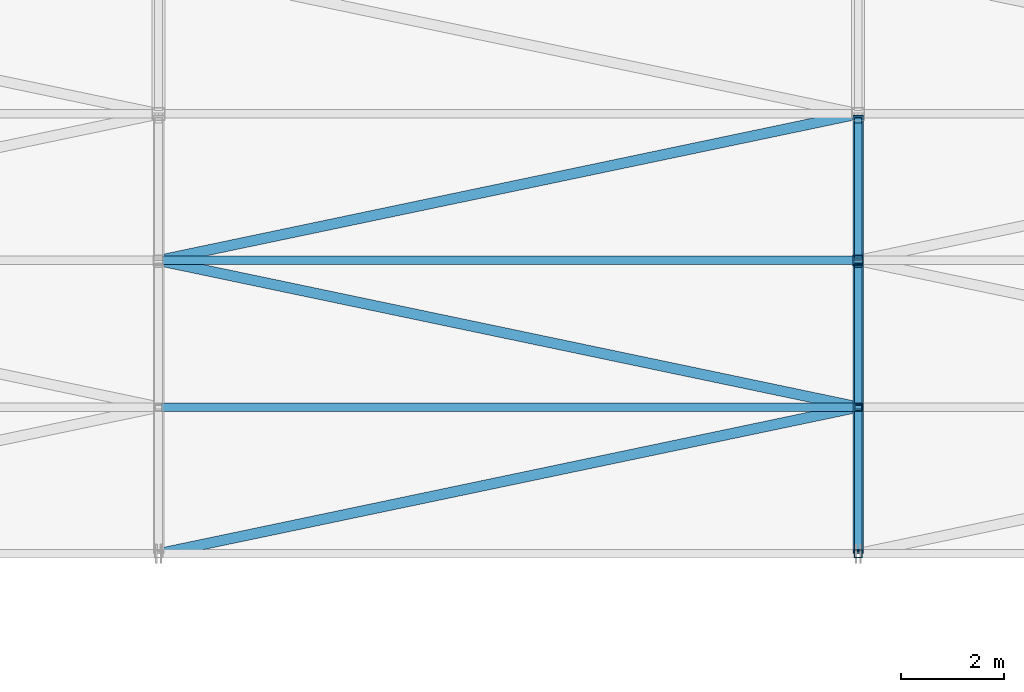
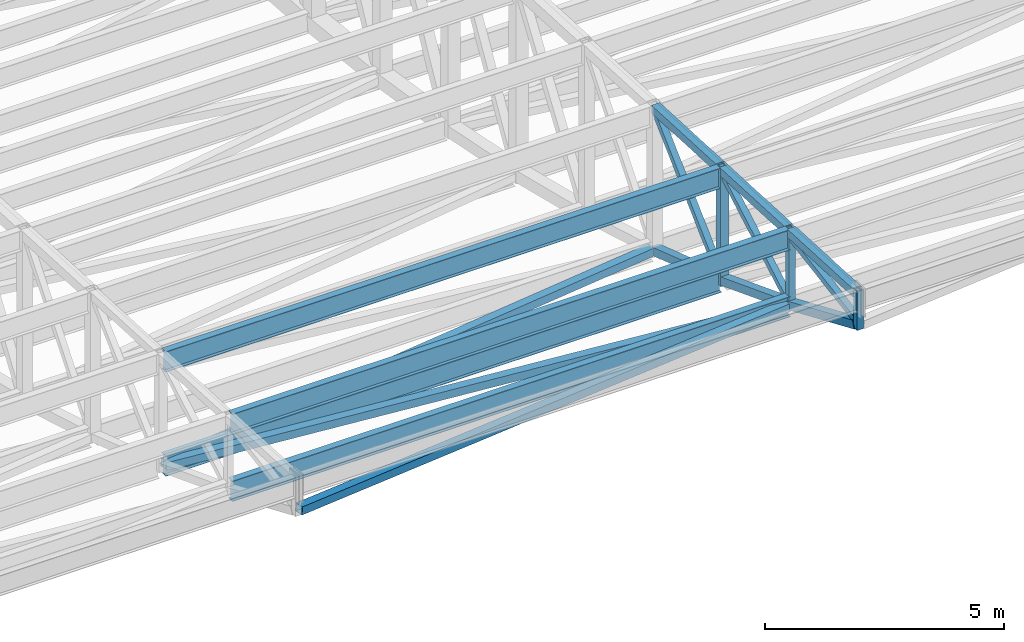
# One storey, part 82 of 278: 10 members, 9 beams.
"""IFC4 building model written with IfcOpenShell, lengths in metres."""

from ifc_helpers import new_model, si_unit, direction, frame, origin, origin_2d, place, context, subcontext, project, spatial, hollow_rectangle, i_section, extrude, material, material_profile, profile_set, type_object, element, save


model = new_model("IFC4")

# Units and contexts
model_context = context("Model", 3, precision=1e-05, world=origin(), true_north=direction((0.0, 1.0)))
body_context = subcontext(model_context, "Body", "Model", "MODEL_VIEW")
ifc_project = project(units=[si_unit("LENGTHUNIT", "METRE"), si_unit("AREAUNIT", "SQUARE_METRE"), si_unit("VOLUMEUNIT", "CUBIC_METRE"), si_unit("PLANEANGLEUNIT", "RADIAN"), si_unit("MASSUNIT", "GRAM", prefix="KILO")], contexts=[model_context])

# Site, building, storey
site_placement = place(None, origin())
site = spatial("IfcSite", under=ifc_project, at=site_placement, CompositionType="ELEMENT")
building_placement = place(site_placement, origin())
building = spatial("IfcBuilding", under=site, at=building_placement, Name="Ogive Plaza Stadium", CompositionType="ELEMENT")
storey_placement = place(building_placement, frame((0.0, 0.0, 29.0)))
storey = spatial("IfcBuildingStorey", under=building, at=storey_placement, Name="Roof", CompositionType="ELEMENT", Elevation=29.0)

# Members
ifc_material_1 = material(Name="Steel ASTM A500 Grade C", Category="steel")
ifc_material_profile_1 = material_profile(ifc_material_1, hollow_rectangle(XDim=0.203125, YDim=0.203125, WallThickness=0.0087890625, at=origin_2d()), Name="HSS8X8X3/8")
ifc_profile_set_1 = profile_set([ifc_material_profile_1], Name="Steel ASTM A500 Grade C")
member_type_1 = type_object("IfcMemberType", Name="Roof plan brace HSS8X8X3/8", PredefinedType="BRACE", material=ifc_profile_set_1)
member_1_placement = place(storey_placement, frame((6.86767578125, 64.01416015625, 6.5205078125), z_axis=(0.974983402681, 0.204327358854, -0.087508256301), x_axis=(-0.205114219191, 0.978738043138, 0.0)))
element("IfcMember", 1, at=member_1_placement, inside=storey, type_object=member_type_1, Name="ROOF BRACE B35 1", PredefinedType="BRACE", context=body_context, shape_type="SweptSolid", body=[
    extrude(hollow_rectangle(XDim=0.203125, YDim=0.203125, WallThickness=0.0087890625, at=origin_2d()), origin(), (0.0, 0.0, 1.0), 13.81005859375),
])
member_2_placement = place(storey_placement, frame((20.332275390625, 66.8642578125, 5.30029296875), z_axis=(-0.975733868402, 0.204463279961, -0.078346571082), x_axis=(-0.205093700418, -0.978742343035, 0.0)))
element("IfcMember", 2, at=member_2_placement, inside=storey, type_object=member_type_1, Name="ROOF BRACE B35 2", PredefinedType="BRACE", context=body_context, shape_type="SweptSolid", body=[
    extrude(hollow_rectangle(XDim=0.203125, YDim=0.203125, WallThickness=0.0087890625, at=origin_2d()), origin(), (0.0, 0.0, 1.0), 13.7734375),
])
member_3_placement = place(storey_placement, frame((6.89306640625, 69.719482421875, 4.207275390625), z_axis=(0.976515317582, 0.204641125651, -0.067378366106), x_axis=(-0.205107232709, 0.97873950727, 0.0)))
element("IfcMember", 3, at=member_3_placement, inside=storey, type_object=member_type_1, Name="ROOF BRACE B35 3", PredefinedType="BRACE", context=body_context, shape_type="SweptSolid", body=[
    extrude(hollow_rectangle(XDim=0.203125, YDim=0.203125, WallThickness=0.0087890625, at=origin_2d()), origin(), (0.0, 0.0, 1.0), 13.736328125),
])
ifc_material_2 = material(Name="Steel ASTM A992 Grade 50", Category="steel")
ifc_material_profile_2 = material_profile(ifc_material_2, i_section(OverallWidth=0.1650390625, OverallDepth=0.524658203125, WebThickness=0.0087890625, FlangeThickness=0.011474609375, at=origin_2d()), Name="W21X44")
ifc_profile_set_2 = profile_set([ifc_material_profile_2], Name="Steel ASTM A992 Grade 50")
member_type_2 = type_object("IfcMemberType", Name="Roof plan strut W21X44", PredefinedType="STRUT", material=ifc_profile_set_2)
member_4_placement = place(storey_placement, frame((6.84619140625, 66.85009765625, 5.305908203125), z_axis=(1.0, 0.0, 0.0), x_axis=(0.0, 1.0, 0.0)))
element("IfcMember", 4, at=member_4_placement, inside=storey, type_object=member_type_2, Name="ROOF STRUT B35 1", PredefinedType="STRUT", context=body_context, shape_type="SweptSolid", body=[
    extrude(i_section(OverallWidth=0.1650390625, OverallDepth=0.524658203125, WebThickness=0.0087890625, FlangeThickness=0.011474609375, at=origin_2d()), origin(), (0.0, 0.0, 1.0), 13.507568359375),
])
member_5_placement = place(storey_placement, frame((6.87158203125, 69.699951171875, 4.213623046875), z_axis=(1.0, 0.0, 0.0), x_axis=(0.0, 1.0, 0.0)))
element("IfcMember", 5, at=member_5_placement, inside=storey, type_object=member_type_2, Name="ROOF STRUT B35 2", PredefinedType="STRUT", context=body_context, shape_type="SweptSolid", body=[
    extrude(i_section(OverallWidth=0.1650390625, OverallDepth=0.524658203125, WebThickness=0.0087890625, FlangeThickness=0.011474609375, at=origin_2d()), origin(), (0.0, 0.0, 1.0), 13.456787109375),
])
ifc_material_3 = material(Name="Steel ASTM A992 Grade 50", Category="steel")
ifc_material_profile_3 = material_profile(ifc_material_3, i_section(OverallWidth=0.1650390625, OverallDepth=0.524658203125, WebThickness=0.0087890625, FlangeThickness=0.011474609375, at=origin_2d()), Name="W21X44")
ifc_profile_set_3 = profile_set([ifc_material_profile_3], Name="Steel ASTM A992 Grade 50")
member_type_3 = type_object("IfcMemberType", Name="Roof purlin W21X44", PredefinedType="PURLIN", material=ifc_profile_set_3)
member_6_placement = place(storey_placement, frame((6.84619140625, 66.85009765625, 7.02001953125), z_axis=(1.0, 0.0, 0.0), x_axis=(0.0, 1.0, 0.0)))
element("IfcMember", 6, at=member_6_placement, inside=storey, type_object=member_type_3, Name="ROOF PURLIN B35 1", PredefinedType="PURLIN", context=body_context, shape_type="SweptSolid", body=[
    extrude(i_section(OverallWidth=0.1650390625, OverallDepth=0.524658203125, WebThickness=0.0087890625, FlangeThickness=0.011474609375, at=origin_2d()), origin(), (0.0, 0.0, 1.0), 13.507568359375),
])
member_7_placement = place(storey_placement, frame((6.87158203125, 69.699951171875, 6.877685546875), z_axis=(1.0, 0.0, 0.0), x_axis=(0.0, 1.0, 0.0)))
element("IfcMember", 7, at=member_7_placement, inside=storey, type_object=member_type_3, Name="ROOF PURLIN B35 2", PredefinedType="PURLIN", context=body_context, shape_type="SweptSolid", body=[
    extrude(i_section(OverallWidth=0.1650390625, OverallDepth=0.524658203125, WebThickness=0.0087890625, FlangeThickness=0.011474609375, at=origin_2d()), origin(), (0.0, 0.0, 1.0), 13.456787109375),
])

# Beams
ifc_material_4 = material(Name="Steel ASTM A500 Grade C", Category="steel")
ifc_material_profile_4 = material_profile(ifc_material_4, hollow_rectangle(XDim=0.203125, YDim=0.203125, WallThickness=0.01171875, at=origin_2d()), Name="HSS8X8X1/2")
ifc_profile_set_4 = profile_set([ifc_material_profile_4], Name="Steel ASTM A500 Grade C")
beam_type_1 = type_object("IfcBeamType", Name="Roof truss bottom chord HSS8X8X1/2", PredefinedType="BEAM", material=ifc_profile_set_4)
beam_1_placement = place(storey_placement, frame((20.39990234375, 64.0400390625, 6.518310546875), z_axis=(0.0, 0.919215459426, -0.393754922702), x_axis=(-1.0, 0.0, 0.0)))
element("IfcBeam", 8, at=beam_1_placement, inside=storey, type_object=beam_type_1, Name="ROOF TRUSS T36 BOTTOM CHORD 1", PredefinedType="BEAM", context=body_context, shape_type="SweptSolid", body=[
    extrude(hollow_rectangle(XDim=0.203125, YDim=0.203125, WallThickness=0.01171875, at=origin_2d()), origin(), (0.0, 0.0, 1.0), 3.04736328125),
])
beam_2_placement = place(storey_placement, frame((20.39990234375, 66.886474609375, 5.299072265625), z_axis=(0.0, 0.933780874892, -0.357845326484), x_axis=(-1.0, 0.0, 0.0)))
element("IfcBeam", 9, at=beam_2_placement, inside=storey, type_object=beam_type_1, Name="ROOF TRUSS T36 BOTTOM CHORD 2", PredefinedType="BEAM", context=body_context, shape_type="SweptSolid", body=[
    extrude(hollow_rectangle(XDim=0.203125, YDim=0.203125, WallThickness=0.01171875, at=origin_2d()), origin(), (0.0, 0.0, 1.0), 2.97314453125),
])
beam_3_placement = place(storey_placement, frame((20.39990234375, 69.74072265625, 4.20556640625), z_axis=(0.0, 0.947299736415, -0.320348574817), x_axis=(-1.0, 0.0, 0.0)))
element("IfcBeam", 10, at=beam_3_placement, inside=storey, type_object=beam_type_1, Name="ROOF TRUSS T36 BOTTOM CHORD 3", PredefinedType="BEAM", context=body_context, shape_type="SweptSolid", body=[
    extrude(hollow_rectangle(XDim=0.203125, YDim=0.203125, WallThickness=0.01171875, at=origin_2d()), origin(), (0.0, 0.0, 1.0), 2.912841796875),
])

# Members
ifc_material_5 = material(Name="Steel ASTM A500 Grade C", Category="steel")
ifc_material_profile_5 = material_profile(ifc_material_5, hollow_rectangle(XDim=0.15234375, YDim=0.15234375, WallThickness=0.005859375, at=origin_2d()), Name="HSS6X6X1/4")
ifc_profile_set_5 = profile_set([ifc_material_profile_5], Name="Steel ASTM A500 Grade C")
member_type_4 = type_object("IfcMemberType", Name="Roof truss diagonal HSS6X6X1/4", PredefinedType="BRACE", material=ifc_profile_set_5)
member_8_placement = place(storey_placement, frame((20.39990234375, 64.076171875, 6.628173828125), z_axis=(0.0, 0.986299671123, 0.164963507307), x_axis=(-1.0, 0.0, 0.0)))
element("IfcMember", 11, at=member_8_placement, inside=storey, type_object=member_type_4, Name="ROOF TRUSS T36 DIAGONAL 1", PredefinedType="BRACE", context=body_context, shape_type="SweptSolid", body=[
    extrude(hollow_rectangle(XDim=0.15234375, YDim=0.15234375, WallThickness=0.005859375, at=origin_2d()), origin(), (0.0, 0.0, 1.0), 2.73486328125),
])
member_9_placement = place(storey_placement, frame((20.39990234375, 66.92626953125, 5.407470703125), z_axis=(0.0, 0.8679111184, 0.496719529069), x_axis=(-1.0, 0.0, 0.0)))
element("IfcMember", 12, at=member_9_placement, inside=storey, type_object=member_type_4, Name="ROOF TRUSS T36 DIAGONAL 2", PredefinedType="BRACE", context=body_context, shape_type="SweptSolid", body=[
    extrude(hollow_rectangle(XDim=0.15234375, YDim=0.15234375, WallThickness=0.005859375, at=origin_2d()), origin(), (0.0, 0.0, 1.0), 3.078857421875),
])
ifc_material_6 = material(Name="Steel ASTM A500 Grade C", Category="steel")
ifc_material_profile_6 = material_profile(ifc_material_6, hollow_rectangle(XDim=0.15234375, YDim=0.15234375, WallThickness=0.0087890625, at=origin_2d()), Name="HSS6X6X3/8")
ifc_profile_set_6 = profile_set([ifc_material_profile_6], Name="Steel ASTM A500 Grade C")
member_type_5 = type_object("IfcMemberType", Name="Roof truss diagonal HSS6X6X3/8", PredefinedType="BRACE", material=ifc_profile_set_6)
member_10_placement = place(storey_placement, frame((20.39990234375, 69.801513671875, 4.315185546875), z_axis=(0.0, 0.726588919749, 0.687072442832), x_axis=(-1.0, 0.0, 0.0)))
element("IfcMember", 13, at=member_10_placement, inside=storey, type_object=member_type_5, Name="ROOF TRUSS T36 DIAGONAL 3", PredefinedType="BRACE", context=body_context, shape_type="SweptSolid", body=[
    extrude(hollow_rectangle(XDim=0.15234375, YDim=0.15234375, WallThickness=0.0087890625, at=origin_2d()), origin(), (0.0, 0.0, 1.0), 3.608154296875),
])

# Beams
ifc_material_7 = material(Name="Steel ASTM A500 Grade C", Category="steel")
ifc_material_profile_7 = material_profile(ifc_material_7, hollow_rectangle(XDim=0.15234375, YDim=0.15234375, WallThickness=0.0087890625, at=origin_2d()), Name="HSS6X6X3/8")
ifc_profile_set_7 = profile_set([ifc_material_profile_7], Name="Steel ASTM A500 Grade C")
beam_type_2 = type_object("IfcBeamType", Name="Roof truss post HSS6X6X3/8", PredefinedType="BEAM", material=ifc_profile_set_7)
beam_4_placement = place(storey_placement, frame((20.39990234375, 64.0, 6.425048828125), z_axis=(0.0, 0.0, 1.0), x_axis=(-1.0, 0.0, 0.0)))
element("IfcBeam", 14, at=beam_4_placement, inside=storey, type_object=beam_type_2, Name="ROOF TRUSS T36 POST 1", PredefinedType="BEAM", context=body_context, shape_type="SweptSolid", body=[
    extrude(hollow_rectangle(XDim=0.15234375, YDim=0.15234375, WallThickness=0.0087890625, at=origin_2d()), origin(), (0.0, 0.0, 1.0), 1.0),
])
beam_5_placement = place(storey_placement, frame((20.39990234375, 66.85009765625, 5.204345703125), z_axis=(0.0, 0.0, 1.0), x_axis=(-1.0, 0.0, 0.0)))
element("IfcBeam", 15, at=beam_5_placement, inside=storey, type_object=beam_type_2, Name="ROOF TRUSS T36 POST 2", PredefinedType="BEAM", context=body_context, shape_type="SweptSolid", body=[
    extrude(hollow_rectangle(XDim=0.15234375, YDim=0.15234375, WallThickness=0.0087890625, at=origin_2d()), origin(), (0.0, 0.0, 1.0), 2.078125),
])
ifc_material_8 = material(Name="Steel ASTM A500 Grade C", Category="steel")
ifc_material_profile_8 = material_profile(ifc_material_8, hollow_rectangle(XDim=0.203125, YDim=0.203125, WallThickness=0.0087890625, at=origin_2d()), Name="HSS8X8X3/8")
ifc_profile_set_8 = profile_set([ifc_material_profile_8], Name="Steel ASTM A500 Grade C")
beam_type_3 = type_object("IfcBeamType", Name="Roof truss post HSS8X8X3/8", PredefinedType="BEAM", material=ifc_profile_set_8)
beam_6_placement = place(storey_placement, frame((20.39990234375, 69.699951171875, 4.112060546875), z_axis=(0.0, 0.0, 1.0), x_axis=(-1.0, 0.0, 0.0)))
element("IfcBeam", 16, at=beam_6_placement, inside=storey, type_object=beam_type_3, Name="ROOF TRUSS T36 POST 3", PredefinedType="BEAM", context=body_context, shape_type="SweptSolid", body=[
    extrude(hollow_rectangle(XDim=0.203125, YDim=0.203125, WallThickness=0.0087890625, at=origin_2d()), origin(), (0.0, 0.0, 1.0), 3.02783203125),
])
ifc_material_9 = material(Name="Steel ASTM A500 Grade C", Category="steel")
ifc_material_profile_9 = material_profile(ifc_material_9, hollow_rectangle(XDim=0.203125, YDim=0.203125, WallThickness=0.0087890625, at=origin_2d()), Name="HSS8X8X3/8")
ifc_profile_set_9 = profile_set([ifc_material_profile_9], Name="Steel ASTM A500 Grade C")
beam_type_4 = type_object("IfcBeamType", Name="Roof truss top chord HSS8X8X3/8", PredefinedType="BEAM", material=ifc_profile_set_9)
beam_7_placement = place(storey_placement, frame((20.39990234375, 64.041259765625, 7.3212890625), z_axis=(0.0, 0.998751459876, -0.049955193873), x_axis=(-1.0, 0.0, 0.0)))
element("IfcBeam", 17, at=beam_7_placement, inside=storey, type_object=beam_type_4, Name="ROOF TRUSS T36 TOP CHORD 1", PredefinedType="BEAM", context=body_context, shape_type="SweptSolid", body=[
    extrude(hollow_rectangle(XDim=0.203125, YDim=0.203125, WallThickness=0.0087890625, at=origin_2d()), origin(), (0.0, 0.0, 1.0), 2.77099609375),
])
beam_8_placement = place(storey_placement, frame((20.39990234375, 66.89111328125, 7.1787109375), z_axis=(0.0, 0.998752338878, -0.049937616944), x_axis=(-1.0, 0.0, 0.0)))
element("IfcBeam", 18, at=beam_8_placement, inside=storey, type_object=beam_type_4, Name="ROOF TRUSS T36 TOP CHORD 2", PredefinedType="BEAM", context=body_context, shape_type="SweptSolid", body=[
    extrude(hollow_rectangle(XDim=0.203125, YDim=0.203125, WallThickness=0.0087890625, at=origin_2d()), origin(), (0.0, 0.0, 1.0), 2.76220703125),
])
beam_9_placement = place(storey_placement, frame((20.39990234375, 69.75, 7.035888671875), z_axis=(0.0, 0.998748798523, -0.05000837379), x_axis=(-1.0, 0.0, 0.0)))
element("IfcBeam", 19, at=beam_9_placement, inside=storey, type_object=beam_type_4, Name="ROOF TRUSS T36 TOP CHORD 3", PredefinedType="BEAM", context=body_context, shape_type="SweptSolid", body=[
    extrude(hollow_rectangle(XDim=0.203125, YDim=0.203125, WallThickness=0.0087890625, at=origin_2d()), origin(), (0.0, 0.0, 1.0), 2.75341796875),
])

save(model, "model.ifc")
